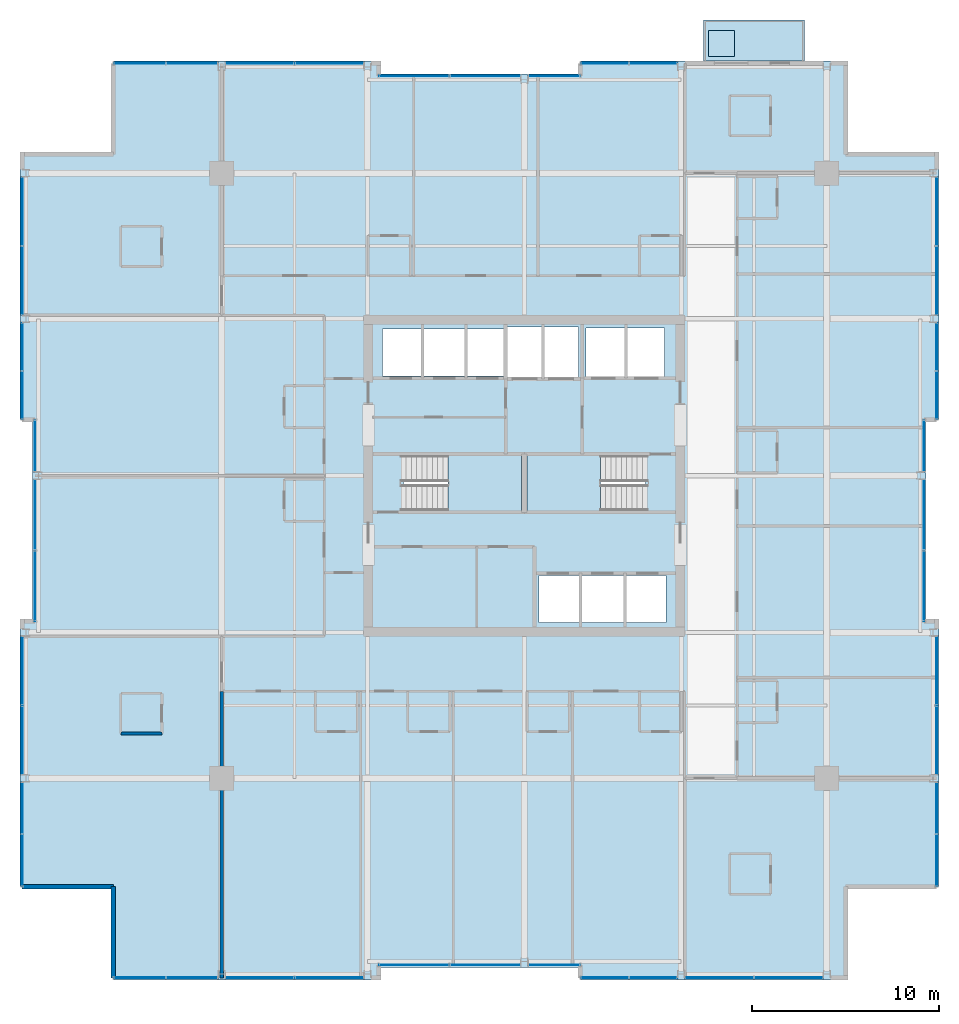
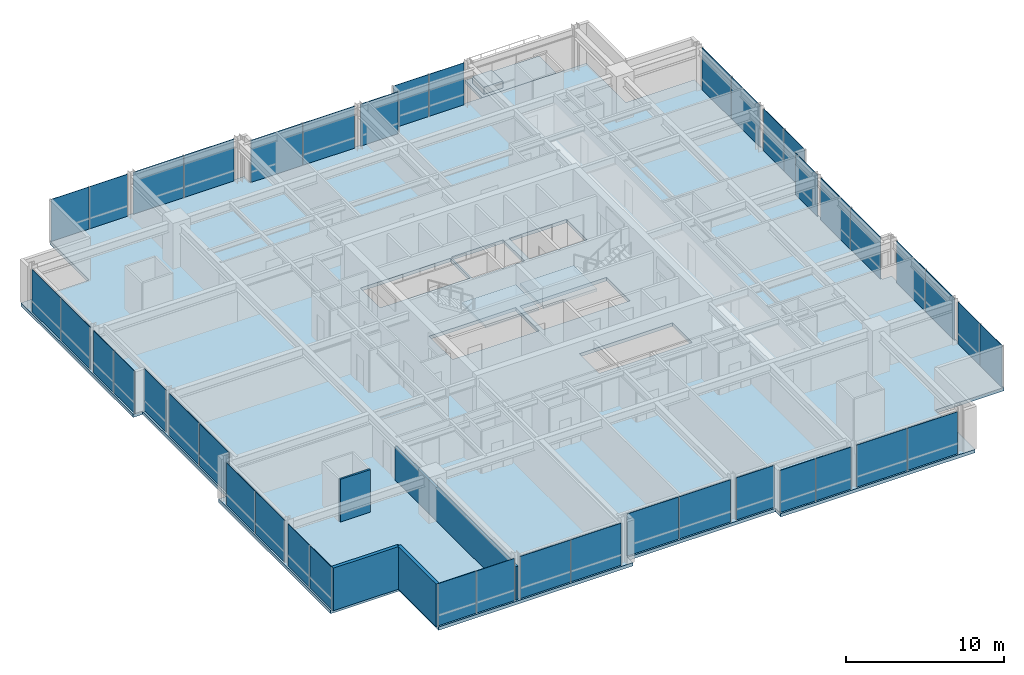
# One storey, part 26 of 33: 42 plates, 5 slabs, 4 walls, 25 elements without a shape of their own.
"""IFC4 building model written with IfcOpenShell, lengths in metres."""

from ifc_helpers import new_model, si_unit, direction, frame, frame_2d, origin, origin_2d, place, context, subcontext, project, spatial, polyline, rectangle, outline, extrude, material, layer, layer_set, type_object, element, aggregate, save


model = new_model("IFC4")

# Units and contexts
model_context = context("Model", 3, precision=1e-05, world=origin(), true_north=direction((0.0, 1.0)))
body_context = subcontext(model_context, "Body", "Model", "MODEL_VIEW")
ifc_project = project(units=[si_unit("LENGTHUNIT", "METRE"), si_unit("AREAUNIT", "SQUARE_METRE"), si_unit("VOLUMEUNIT", "CUBIC_METRE"), si_unit("PLANEANGLEUNIT", "RADIAN"), si_unit("MASSUNIT", "GRAM", prefix="KILO")], contexts=[model_context])

# Site, building, storey
site_placement = place(None, origin())
site = spatial("IfcSite", under=ifc_project, at=site_placement, CompositionType="ELEMENT")
building_placement = place(site_placement, origin())
building = spatial("IfcBuilding", under=site, at=building_placement, Name="Drelvath Grand Hotel", CompositionType="ELEMENT")
storey_placement = place(building_placement, frame((0.0, 0.0, 178.800048828125)))
storey = spatial("IfcBuildingStorey", under=building, at=storey_placement, Name="L46", CompositionType="ELEMENT", Elevation=178.800048828125)

# Slabs
ifc_material_1 = material(Name="Concrete f'c 40 MPa", Category="concrete")
ifc_layer_1 = layer(ifc_material_1, 0.239990234375)
ifc_layer_set_1 = layer_set([ifc_layer_1], Name="Concrete f'c 40 MPa")
slab_type_1 = type_object("IfcSlabType", Name="Cantilevered Tree Balcony Slab 240", PredefinedType="FLOOR", material=ifc_layer_set_1)
slab_1_placement = place(storey_placement, frame((0.0, 0.0, -0.239990234375)))
element("IfcSlab", 1, at=slab_1_placement, inside=storey, type_object=slab_type_1, Name="L46 Cantilevered Tree Balcony Slab 1", PredefinedType="FLOOR", context=body_context, shape_type="SweptSolid", body=[
    extrude(outline(polyline([(9.60009765625, 49.199951171875), (15.0, 49.199951171875), (15.0, 51.39990234375), (9.60009765625, 51.39990234375), (9.60009765625, 49.199951171875)])), origin(), (0.0, 0.0, 1.0), 0.239990234375),
])
ifc_layer_2 = layer(ifc_material_1, 0.260009765625)
ifc_layer_set_2 = layer_set([ifc_layer_2], Name="Concrete f'c 40 MPa")
slab_type_2 = type_object("IfcSlabType", Name="Composite RC Floor Slab 260", PredefinedType="FLOOR", material=ifc_layer_set_2)
slab_2_placement = place(storey_placement, frame((0.0, 0.0, -0.260009765625)))
element("IfcSlab", 2, at=slab_2_placement, inside=storey, type_object=slab_type_2, Name="L46 Structural Floor Slab", PredefinedType="FLOOR", context=body_context, shape_type="SweptSolid", body=[
    extrude(outline(polyline([(-22.0, 0.0), (-7.800048828125, 0.0), (-7.800048828125, 0.679931640625), (3.0, 0.679931640625), (3.0, 0.0), (17.199951171875, 0.0), (17.199951171875, 5.0), (22.199951171875, 5.0), (22.199951171875, 19.199951171875), (21.52001953125, 19.199951171875), (21.52001953125, 30.0), (22.199951171875, 30.0), (22.199951171875, 44.199951171875), (17.199951171875, 44.199951171875), (17.199951171875, 49.199951171875), (3.0, 49.199951171875), (3.0, 48.52001953125), (-7.800048828125, 48.52001953125), (-7.800048828125, 49.199951171875), (-22.0, 49.199951171875), (-22.0, 44.199951171875), (-27.0, 44.199951171875), (-27.0, 30.0), (-26.320068359375, 30.0), (-26.320068359375, 19.199951171875), (-27.0, 19.199951171875), (-27.0, 5.0), (-22.0, 5.0), (-22.0, 0.0)]), holes=[polyline([(-6.47998046875, 25.1201171875), (-6.47998046875, 28.080078125), (-0.14990234375, 28.080078125), (-0.14990234375, 25.1201171875), (-6.47998046875, 25.1201171875)]), polyline([(0.14990234375, 25.1201171875), (0.14990234375, 28.080078125), (6.47998046875, 28.080078125), (6.47998046875, 25.1201171875), (0.14990234375, 25.1201171875)]), polyline([(0.800048828125, 19.14990234375), (0.800048828125, 21.64990234375), (7.60009765625, 21.64990234375), (7.60009765625, 19.14990234375), (0.800048828125, 19.14990234375)]), polyline([(-7.60009765625, 32.35009765625), (-7.60009765625, 34.85009765625), (-1.02001953125, 34.85009765625), (-1.02001953125, 32.35009765625), (-7.60009765625, 32.35009765625)]), polyline([(-0.89990234375, 32.25), (-0.89990234375, 34.949951171875), (2.89990234375, 34.949951171875), (2.89990234375, 32.25), (-0.89990234375, 32.25)]), polyline([(3.300048828125, 32.300048828125), (3.300048828125, 34.89990234375), (7.5, 34.89990234375), (7.5, 32.300048828125), (3.300048828125, 32.300048828125)])]), origin(), (0.0, 0.0, 1.0), 0.260009765625),
])

# Stair, slab
ifc_material_2 = material(Name="Concrete C40/50", Category="concrete")
stair_type = type_object("IfcStairType", Name="Dogleg Exit Stair W1400-R177.5", PredefinedType="HALF_TURN_STAIR", material=ifc_material_2)
stair_1_placement = place(storey_placement, origin())
stair_1 = element("IfcStair", 3, at=stair_1_placement, inside=storey, type_object=stair_type, Name="L46 Core Exit Stair ST-1", PredefinedType="HALF_TURN_STAIR")
ifc_layer_3 = layer(ifc_material_2, 0.199951171875)
ifc_layer_set_3 = layer_set([ifc_layer_3], Name="Concrete C40/50")
slab_type_3 = type_object("IfcSlabType", Name="Concrete Stair Landing Slab 200", PredefinedType="LANDING", material=ifc_layer_set_3)
slab_3_placement = place(storey_placement, frame((0.0, 0.0, 1.574951171875)))
slab_3 = element("IfcSlab", 4, at=slab_3_placement, type_object=slab_type_3, Name="ST-1 landing 1", PredefinedType="LANDING", context=body_context, shape_type="SweptSolid", body=[
    extrude(outline(polyline([(-4.080078125, 25.1201171875), (-0.14990234375, 25.1201171875), (-0.14990234375, 28.080078125), (-4.080078125, 28.080078125), (-4.080078125, 25.1201171875)])), origin(), (0.0, 0.0, 1.0), 0.199951171875),
])
aggregate(stair_1, [slab_3])

stair_2_placement = place(storey_placement, origin())
stair_2 = element("IfcStair", 5, at=stair_2_placement, inside=storey, type_object=stair_type, Name="L46 Core Exit Stair ST-2", PredefinedType="HALF_TURN_STAIR")
slab_4_placement = place(storey_placement, frame((0.0, 0.0, 1.574951171875)))
slab_4 = element("IfcSlab", 6, at=slab_4_placement, type_object=slab_type_3, Name="ST-2 landing 1", PredefinedType="LANDING", context=body_context, shape_type="SweptSolid", body=[
    extrude(outline(polyline([(4.080078125, 28.080078125), (0.14990234375, 28.080078125), (0.14990234375, 25.1201171875), (4.080078125, 25.1201171875), (4.080078125, 28.080078125)])), origin(), (0.0, 0.0, 1.0), 0.199951171875),
])
aggregate(stair_2, [slab_4])

# Curtain wall, plates
ifc_material_3 = material(Name="Brushed Pale-Silver Anodised Aluminium Frame", Category="aluminium")
ifc_layer_4 = layer(ifc_material_3, 0.199951171875)
ifc_layer_set_4 = layer_set([ifc_layer_4], Name="Brushed Pale-Silver Anodised Aluminium Frame")
curtain_wall_type = type_object("IfcCurtainWallType", Name="Stick Curtain Wall CW-04 Brushed Silver Upper-Mid", PredefinedType="NOTDEFINED", material=ifc_layer_set_4)
curtain_wall_1_placement = place(storey_placement, origin())
curtain_wall_1 = element("IfcCurtainWall", 7, at=curtain_wall_1_placement, inside=storey, type_object=curtain_wall_type, Name="L46 CW-04 Curtain Wall CW04-L46-WS1", PredefinedType="NOTDEFINED")
ifc_material_4 = material(Name="Low-E Triple Silver Vision Glass Cool", Category="glass")
ifc_layer_5 = layer(ifc_material_4, 0.035888671875)
ifc_layer_set_5 = layer_set([ifc_layer_5], Name="Low-E Triple Silver Vision Glass Cool")
plate_type = type_object("IfcPlateType", Name="Curtain Wall Vision Panel CW-04 36mm", PredefinedType="CURTAIN_PANEL", material=ifc_layer_set_5)
plate_1_placement = place(storey_placement, frame((-26.8798828125, 6.402099609375, 0.02001953125), z_axis=(0.0, 0.0, 1.0), x_axis=(0.0, 1.0, 0.0)))
plate_1 = element("IfcPlate", 8, at=plate_1_placement, type_object=plate_type, Name="CW04-L46-WS1 Glazed Panel 1", PredefinedType="CURTAIN_PANEL", context=body_context, shape_type="SweptSolid", body=[
    extrude(rectangle(XDim=2.76416015625, YDim=0.035888671875, at=origin_2d()), origin(), (0.0, 0.0, 1.0), 3.25),
])
plate_2_placement = place(storey_placement, frame((-26.8798828125, 9.206298828125, 0.02001953125), z_axis=(0.0, 0.0, 1.0), x_axis=(0.0, 1.0, 0.0)))
plate_2 = element("IfcPlate", 9, at=plate_2_placement, type_object=plate_type, Name="CW04-L46-WS1 Glazed Panel 2", PredefinedType="CURTAIN_PANEL", context=body_context, shape_type="SweptSolid", body=[
    extrude(rectangle(XDim=2.76416015625, YDim=0.035888671875, at=origin_2d()), origin(), (0.0, 0.0, 1.0), 3.25),
])
aggregate(curtain_wall_1, [plate_1, plate_2])

curtain_wall_2_placement = place(storey_placement, origin())
curtain_wall_2 = element("IfcCurtainWall", 10, at=curtain_wall_2_placement, inside=storey, type_object=curtain_wall_type, Name="L46 CW-04 Curtain Wall CW04-L46-WS2", PredefinedType="NOTDEFINED")
plate_3_placement = place(storey_placement, frame((-26.8798828125, 12.845947265625, 0.02001953125), z_axis=(0.0, 0.0, 1.0), x_axis=(0.0, 1.0, 0.0)))
plate_3 = element("IfcPlate", 11, at=plate_3_placement, type_object=plate_type, Name="CW04-L46-WS2 Glazed Panel 1", PredefinedType="CURTAIN_PANEL", context=body_context, shape_type="SweptSolid", body=[
    extrude(rectangle(XDim=3.66845703125, YDim=0.035888671875, at=origin_2d()), origin(), (0.0, 0.0, 1.0), 3.25),
])
plate_4_placement = place(storey_placement, frame((-26.8798828125, 16.55419921875, 0.02001953125), z_axis=(0.0, 0.0, 1.0), x_axis=(0.0, 1.0, 0.0)))
plate_4 = element("IfcPlate", 12, at=plate_4_placement, type_object=plate_type, Name="CW04-L46-WS2 Glazed Panel 2", PredefinedType="CURTAIN_PANEL", context=body_context, shape_type="SweptSolid", body=[
    extrude(rectangle(XDim=3.66845703125, YDim=0.035888671875, at=origin_2d()), origin(), (0.0, 0.0, 1.0), 3.25),
])
aggregate(curtain_wall_2, [plate_3, plate_4])

curtain_wall_3_placement = place(storey_placement, origin())
curtain_wall_3 = element("IfcCurtainWall", 13, at=curtain_wall_3_placement, inside=storey, type_object=curtain_wall_type, Name="L46 CW-04 Curtain Wall CW04-L46-WM1", PredefinedType="NOTDEFINED")
plate_5_placement = place(storey_placement, frame((-26.199951171875, 21.10205078125, 0.02001953125), z_axis=(0.0, 0.0, 1.0), x_axis=(0.0, 1.0, 0.0)))
plate_5 = element("IfcPlate", 14, at=plate_5_placement, type_object=plate_type, Name="CW04-L46-WM1 Glazed Panel 1", PredefinedType="CURTAIN_PANEL", context=body_context, shape_type="SweptSolid", body=[
    extrude(rectangle(XDim=3.76416015625, YDim=0.035888671875, at=origin_2d()), origin(), (0.0, 0.0, 1.0), 3.25),
])
plate_6_placement = place(storey_placement, frame((-26.199951171875, 24.90625, 0.02001953125), z_axis=(0.0, 0.0, 1.0), x_axis=(0.0, 1.0, 0.0)))
plate_6 = element("IfcPlate", 15, at=plate_6_placement, type_object=plate_type, Name="CW04-L46-WM1 Glazed Panel 2", PredefinedType="CURTAIN_PANEL", context=body_context, shape_type="SweptSolid", body=[
    extrude(rectangle(XDim=3.76416015625, YDim=0.035888671875, at=origin_2d()), origin(), (0.0, 0.0, 1.0), 3.25),
])
aggregate(curtain_wall_3, [plate_5, plate_6])

# Curtain wall, plate
curtain_wall_4_placement = place(storey_placement, origin())
curtain_wall_4 = element("IfcCurtainWall", 16, at=curtain_wall_4_placement, inside=storey, type_object=curtain_wall_type, Name="L46 CW-04 Curtain Wall CW04-L46-WM2", PredefinedType="NOTDEFINED")
plate_7_placement = place(storey_placement, frame((-26.199951171875, 28.595703125, 0.02001953125), z_axis=(0.0, 0.0, 1.0), x_axis=(0.0, 1.0, 0.0)))
plate_7 = element("IfcPlate", 17, at=plate_7_placement, type_object=plate_type, Name="CW04-L46-WM2 Glazed Panel 1", PredefinedType="CURTAIN_PANEL", context=body_context, shape_type="SweptSolid", body=[
    extrude(rectangle(XDim=2.768310546875, YDim=0.035888671875, at=origin_2d()), origin(), (0.0, 0.0, 1.0), 3.25),
])
aggregate(curtain_wall_4, [plate_7])

# Curtain wall, plates
curtain_wall_5_placement = place(storey_placement, origin())
curtain_wall_5 = element("IfcCurtainWall", 18, at=curtain_wall_5_placement, inside=storey, type_object=curtain_wall_type, Name="L46 CW-04 Curtain Wall CW04-L46-WN1", PredefinedType="NOTDEFINED")
plate_8_placement = place(storey_placement, frame((-26.8798828125, 31.302001953125, 0.02001953125), z_axis=(0.0, 0.0, 1.0), x_axis=(0.0, 1.0, 0.0)))
plate_8 = element("IfcPlate", 19, at=plate_8_placement, type_object=plate_type, Name="CW04-L46-WN1 Glazed Panel 1", PredefinedType="CURTAIN_PANEL", context=body_context, shape_type="SweptSolid", body=[
    extrude(rectangle(XDim=2.564208984375, YDim=0.035888671875, at=origin_2d()), origin(), (0.0, 0.0, 1.0), 3.25),
])
plate_9_placement = place(storey_placement, frame((-26.8798828125, 33.90625, 0.02001953125), z_axis=(0.0, 0.0, 1.0), x_axis=(0.0, 1.0, 0.0)))
plate_9 = element("IfcPlate", 20, at=plate_9_placement, type_object=plate_type, Name="CW04-L46-WN1 Glazed Panel 2", PredefinedType="CURTAIN_PANEL", context=body_context, shape_type="SweptSolid", body=[
    extrude(rectangle(XDim=2.564208984375, YDim=0.035888671875, at=origin_2d()), origin(), (0.0, 0.0, 1.0), 3.25),
])
aggregate(curtain_wall_5, [plate_8, plate_9])

curtain_wall_6_placement = place(storey_placement, origin())
curtain_wall_6 = element("IfcCurtainWall", 21, at=curtain_wall_6_placement, inside=storey, type_object=curtain_wall_type, Name="L46 CW-04 Curtain Wall CW04-L46-WN2", PredefinedType="NOTDEFINED")
plate_10_placement = place(storey_placement, frame((-26.8798828125, 37.44580078125, 0.02001953125), z_axis=(0.0, 0.0, 1.0), x_axis=(0.0, 1.0, 0.0)))
plate_10 = element("IfcPlate", 22, at=plate_10_placement, type_object=plate_type, Name="CW04-L46-WN2 Glazed Panel 1", PredefinedType="CURTAIN_PANEL", context=body_context, shape_type="SweptSolid", body=[
    extrude(rectangle(XDim=3.66845703125, YDim=0.035888671875, at=origin_2d()), origin(), (0.0, 0.0, 1.0), 3.25),
])
plate_11_placement = place(storey_placement, frame((-26.8798828125, 41.154296875, 0.02001953125), z_axis=(0.0, 0.0, 1.0), x_axis=(0.0, 1.0, 0.0)))
plate_11 = element("IfcPlate", 23, at=plate_11_placement, type_object=plate_type, Name="CW04-L46-WN2 Glazed Panel 2", PredefinedType="CURTAIN_PANEL", context=body_context, shape_type="SweptSolid", body=[
    extrude(rectangle(XDim=3.66845703125, YDim=0.035888671875, at=origin_2d()), origin(), (0.0, 0.0, 1.0), 3.25),
])
aggregate(curtain_wall_6, [plate_10, plate_11])

curtain_wall_7_placement = place(storey_placement, origin())
curtain_wall_7 = element("IfcCurtainWall", 24, at=curtain_wall_7_placement, inside=storey, type_object=curtain_wall_type, Name="L46 CW-04 Curtain Wall CW04-L46-EN1", PredefinedType="NOTDEFINED")
plate_12_placement = place(storey_placement, frame((22.080078125, 33.90625, 0.02001953125), z_axis=(0.0, 0.0, 1.0), x_axis=(0.0, -1.0, 0.0)))
plate_12 = element("IfcPlate", 25, at=plate_12_placement, type_object=plate_type, Name="CW04-L46-EN1 Glazed Panel 1", PredefinedType="CURTAIN_PANEL", context=body_context, shape_type="SweptSolid", body=[
    extrude(rectangle(XDim=2.564208984375, YDim=0.035888671875, at=origin_2d()), origin(), (0.0, 0.0, 1.0), 3.25),
])
plate_13_placement = place(storey_placement, frame((22.080078125, 31.302001953125, 0.02001953125), z_axis=(0.0, 0.0, 1.0), x_axis=(0.0, -1.0, 0.0)))
plate_13 = element("IfcPlate", 26, at=plate_13_placement, type_object=plate_type, Name="CW04-L46-EN1 Glazed Panel 2", PredefinedType="CURTAIN_PANEL", context=body_context, shape_type="SweptSolid", body=[
    extrude(rectangle(XDim=2.564208984375, YDim=0.035888671875, at=origin_2d()), origin(), (0.0, 0.0, 1.0), 3.25),
])
aggregate(curtain_wall_7, [plate_12, plate_13])

curtain_wall_8_placement = place(storey_placement, origin())
curtain_wall_8 = element("IfcCurtainWall", 27, at=curtain_wall_8_placement, inside=storey, type_object=curtain_wall_type, Name="L46 CW-04 Curtain Wall CW04-L46-EN2", PredefinedType="NOTDEFINED")
plate_14_placement = place(storey_placement, frame((22.080078125, 41.154296875, 0.02001953125), z_axis=(0.0, 0.0, 1.0), x_axis=(0.0, -1.0, 0.0)))
plate_14 = element("IfcPlate", 28, at=plate_14_placement, type_object=plate_type, Name="CW04-L46-EN2 Glazed Panel 1", PredefinedType="CURTAIN_PANEL", context=body_context, shape_type="SweptSolid", body=[
    extrude(rectangle(XDim=3.66845703125, YDim=0.035888671875, at=origin_2d()), origin(), (0.0, 0.0, 1.0), 3.25),
])
plate_15_placement = place(storey_placement, frame((22.080078125, 37.44580078125, 0.02001953125), z_axis=(0.0, 0.0, 1.0), x_axis=(0.0, -1.0, 0.0)))
plate_15 = element("IfcPlate", 29, at=plate_15_placement, type_object=plate_type, Name="CW04-L46-EN2 Glazed Panel 2", PredefinedType="CURTAIN_PANEL", context=body_context, shape_type="SweptSolid", body=[
    extrude(rectangle(XDim=3.66845703125, YDim=0.035888671875, at=origin_2d()), origin(), (0.0, 0.0, 1.0), 3.25),
])
aggregate(curtain_wall_8, [plate_14, plate_15])

curtain_wall_9_placement = place(storey_placement, origin())
curtain_wall_9 = element("IfcCurtainWall", 30, at=curtain_wall_9_placement, inside=storey, type_object=curtain_wall_type, Name="L46 CW-04 Curtain Wall CW04-L46-EM1", PredefinedType="NOTDEFINED")
plate_16_placement = place(storey_placement, frame((21.39990234375, 24.90625, 0.02001953125), z_axis=(0.0, 0.0, 1.0), x_axis=(0.0, -1.0, 0.0)))
plate_16 = element("IfcPlate", 31, at=plate_16_placement, type_object=plate_type, Name="CW04-L46-EM1 Glazed Panel 1", PredefinedType="CURTAIN_PANEL", context=body_context, shape_type="SweptSolid", body=[
    extrude(rectangle(XDim=3.76416015625, YDim=0.035888671875, at=origin_2d()), origin(), (0.0, 0.0, 1.0), 3.25),
])
plate_17_placement = place(storey_placement, frame((21.39990234375, 21.10205078125, 0.02001953125), z_axis=(0.0, 0.0, 1.0), x_axis=(0.0, -1.0, 0.0)))
plate_17 = element("IfcPlate", 32, at=plate_17_placement, type_object=plate_type, Name="CW04-L46-EM1 Glazed Panel 2", PredefinedType="CURTAIN_PANEL", context=body_context, shape_type="SweptSolid", body=[
    extrude(rectangle(XDim=3.76416015625, YDim=0.035888671875, at=origin_2d()), origin(), (0.0, 0.0, 1.0), 3.25),
])
aggregate(curtain_wall_9, [plate_16, plate_17])

# Curtain wall, plate
curtain_wall_10_placement = place(storey_placement, origin())
curtain_wall_10 = element("IfcCurtainWall", 33, at=curtain_wall_10_placement, inside=storey, type_object=curtain_wall_type, Name="L46 CW-04 Curtain Wall CW04-L46-EM2", PredefinedType="NOTDEFINED")
plate_18_placement = place(storey_placement, frame((21.39990234375, 28.595703125, 0.02001953125), z_axis=(0.0, 0.0, 1.0), x_axis=(0.0, -1.0, 0.0)))
plate_18 = element("IfcPlate", 34, at=plate_18_placement, type_object=plate_type, Name="CW04-L46-EM2 Glazed Panel 1", PredefinedType="CURTAIN_PANEL", context=body_context, shape_type="SweptSolid", body=[
    extrude(rectangle(XDim=2.768310546875, YDim=0.035888671875, at=origin_2d()), origin(), (0.0, 0.0, 1.0), 3.25),
])
aggregate(curtain_wall_10, [plate_18])

# Curtain wall, plates
curtain_wall_11_placement = place(storey_placement, origin())
curtain_wall_11 = element("IfcCurtainWall", 35, at=curtain_wall_11_placement, inside=storey, type_object=curtain_wall_type, Name="L46 CW-04 Curtain Wall CW04-L46-ES1", PredefinedType="NOTDEFINED")
plate_19_placement = place(storey_placement, frame((22.080078125, 9.206298828125, 0.02001953125), z_axis=(0.0, 0.0, 1.0), x_axis=(0.0, -1.0, 0.0)))
plate_19 = element("IfcPlate", 36, at=plate_19_placement, type_object=plate_type, Name="CW04-L46-ES1 Glazed Panel 1", PredefinedType="CURTAIN_PANEL", context=body_context, shape_type="SweptSolid", body=[
    extrude(rectangle(XDim=2.76416015625, YDim=0.035888671875, at=origin_2d()), origin(), (0.0, 0.0, 1.0), 3.25),
])
plate_20_placement = place(storey_placement, frame((22.080078125, 6.402099609375, 0.02001953125), z_axis=(0.0, 0.0, 1.0), x_axis=(0.0, -1.0, 0.0)))
plate_20 = element("IfcPlate", 37, at=plate_20_placement, type_object=plate_type, Name="CW04-L46-ES1 Glazed Panel 2", PredefinedType="CURTAIN_PANEL", context=body_context, shape_type="SweptSolid", body=[
    extrude(rectangle(XDim=2.76416015625, YDim=0.035888671875, at=origin_2d()), origin(), (0.0, 0.0, 1.0), 3.25),
])
aggregate(curtain_wall_11, [plate_19, plate_20])

curtain_wall_12_placement = place(storey_placement, origin())
curtain_wall_12 = element("IfcCurtainWall", 38, at=curtain_wall_12_placement, inside=storey, type_object=curtain_wall_type, Name="L46 CW-04 Curtain Wall CW04-L46-ES2", PredefinedType="NOTDEFINED")
plate_21_placement = place(storey_placement, frame((22.080078125, 16.55419921875, 0.02001953125), z_axis=(0.0, 0.0, 1.0), x_axis=(0.0, -1.0, 0.0)))
plate_21 = element("IfcPlate", 39, at=plate_21_placement, type_object=plate_type, Name="CW04-L46-ES2 Glazed Panel 1", PredefinedType="CURTAIN_PANEL", context=body_context, shape_type="SweptSolid", body=[
    extrude(rectangle(XDim=3.66845703125, YDim=0.035888671875, at=origin_2d()), origin(), (0.0, 0.0, 1.0), 3.25),
])
plate_22_placement = place(storey_placement, frame((22.080078125, 12.845947265625, 0.02001953125), z_axis=(0.0, 0.0, 1.0), x_axis=(0.0, -1.0, 0.0)))
plate_22 = element("IfcPlate", 40, at=plate_22_placement, type_object=plate_type, Name="CW04-L46-ES2 Glazed Panel 2", PredefinedType="CURTAIN_PANEL", context=body_context, shape_type="SweptSolid", body=[
    extrude(rectangle(XDim=3.66845703125, YDim=0.035888671875, at=origin_2d()), origin(), (0.0, 0.0, 1.0), 3.25),
])
aggregate(curtain_wall_12, [plate_21, plate_22])

curtain_wall_13_placement = place(storey_placement, origin())
curtain_wall_13 = element("IfcCurtainWall", 41, at=curtain_wall_13_placement, inside=storey, type_object=curtain_wall_type, Name="L46 CW-04 Curtain Wall CW04-L46-NW1", PredefinedType="NOTDEFINED")
plate_23_placement = place(storey_placement, frame((-20.597900390625, 49.080078125, 0.02001953125), z_axis=(0.0, 0.0, 1.0), x_axis=(1.0, 0.0, 0.0)))
plate_23 = element("IfcPlate", 42, at=plate_23_placement, type_object=plate_type, Name="CW04-L46-NW1 Glazed Panel 1", PredefinedType="CURTAIN_PANEL", context=body_context, shape_type="SweptSolid", body=[
    extrude(rectangle(XDim=2.76416015625, YDim=0.035888671875, at=origin_2d()), origin(), (0.0, 0.0, 1.0), 3.25),
])
plate_24_placement = place(storey_placement, frame((-17.793701171875, 49.080078125, 0.02001953125), z_axis=(0.0, 0.0, 1.0), x_axis=(1.0, 0.0, 0.0)))
plate_24 = element("IfcPlate", 43, at=plate_24_placement, type_object=plate_type, Name="CW04-L46-NW1 Glazed Panel 2", PredefinedType="CURTAIN_PANEL", context=body_context, shape_type="SweptSolid", body=[
    extrude(rectangle(XDim=2.76416015625, YDim=0.035888671875, at=origin_2d()), origin(), (0.0, 0.0, 1.0), 3.25),
])
aggregate(curtain_wall_13, [plate_23, plate_24])

curtain_wall_14_placement = place(storey_placement, origin())
curtain_wall_14 = element("IfcCurtainWall", 44, at=curtain_wall_14_placement, inside=storey, type_object=curtain_wall_type, Name="L46 CW-04 Curtain Wall CW04-L46-NW2", PredefinedType="NOTDEFINED")
plate_25_placement = place(storey_placement, frame((-14.154296875, 49.080078125, 0.02001953125), z_axis=(0.0, 0.0, 1.0), x_axis=(1.0, 0.0, 0.0)))
plate_25 = element("IfcPlate", 45, at=plate_25_placement, type_object=plate_type, Name="CW04-L46-NW2 Glazed Panel 1", PredefinedType="CURTAIN_PANEL", context=body_context, shape_type="SweptSolid", body=[
    extrude(rectangle(XDim=3.66845703125, YDim=0.035888671875, at=origin_2d()), origin(), (0.0, 0.0, 1.0), 3.25),
])
plate_26_placement = place(storey_placement, frame((-10.44580078125, 49.080078125, 0.02001953125), z_axis=(0.0, 0.0, 1.0), x_axis=(1.0, 0.0, 0.0)))
plate_26 = element("IfcPlate", 46, at=plate_26_placement, type_object=plate_type, Name="CW04-L46-NW2 Glazed Panel 2", PredefinedType="CURTAIN_PANEL", context=body_context, shape_type="SweptSolid", body=[
    extrude(rectangle(XDim=3.66845703125, YDim=0.035888671875, at=origin_2d()), origin(), (0.0, 0.0, 1.0), 3.25),
])
aggregate(curtain_wall_14, [plate_25, plate_26])

curtain_wall_15_placement = place(storey_placement, origin())
curtain_wall_15 = element("IfcCurtainWall", 47, at=curtain_wall_15_placement, inside=storey, type_object=curtain_wall_type, Name="L46 CW-04 Curtain Wall CW04-L46-NM1", PredefinedType="NOTDEFINED")
plate_27_placement = place(storey_placement, frame((-5.89794921875, 48.39990234375, 0.02001953125), z_axis=(0.0, 0.0, 1.0), x_axis=(1.0, 0.0, 0.0)))
plate_27 = element("IfcPlate", 48, at=plate_27_placement, type_object=plate_type, Name="CW04-L46-NM1 Glazed Panel 1", PredefinedType="CURTAIN_PANEL", context=body_context, shape_type="SweptSolid", body=[
    extrude(rectangle(XDim=3.76416015625, YDim=0.035888671875, at=origin_2d()), origin(), (0.0, 0.0, 1.0), 3.25),
])
plate_28_placement = place(storey_placement, frame((-2.09375, 48.39990234375, 0.02001953125), z_axis=(0.0, 0.0, 1.0), x_axis=(1.0, 0.0, 0.0)))
plate_28 = element("IfcPlate", 49, at=plate_28_placement, type_object=plate_type, Name="CW04-L46-NM1 Glazed Panel 2", PredefinedType="CURTAIN_PANEL", context=body_context, shape_type="SweptSolid", body=[
    extrude(rectangle(XDim=3.76416015625, YDim=0.035888671875, at=origin_2d()), origin(), (0.0, 0.0, 1.0), 3.25),
])
aggregate(curtain_wall_15, [plate_27, plate_28])

# Curtain wall, plate
curtain_wall_16_placement = place(storey_placement, origin())
curtain_wall_16 = element("IfcCurtainWall", 50, at=curtain_wall_16_placement, inside=storey, type_object=curtain_wall_type, Name="L46 CW-04 Curtain Wall CW04-L46-NM2", PredefinedType="NOTDEFINED")
plate_29_placement = place(storey_placement, frame((1.595703125, 48.39990234375, 0.02001953125), z_axis=(0.0, 0.0, 1.0), x_axis=(1.0, 0.0, 0.0)))
plate_29 = element("IfcPlate", 51, at=plate_29_placement, type_object=plate_type, Name="CW04-L46-NM2 Glazed Panel 1", PredefinedType="CURTAIN_PANEL", context=body_context, shape_type="SweptSolid", body=[
    extrude(rectangle(XDim=2.768310546875, YDim=0.035888671875, at=origin_2d()), origin(), (0.0, 0.0, 1.0), 3.25),
])
aggregate(curtain_wall_16, [plate_29])

# Curtain wall, plates
curtain_wall_17_placement = place(storey_placement, origin())
curtain_wall_17 = element("IfcCurtainWall", 52, at=curtain_wall_17_placement, inside=storey, type_object=curtain_wall_type, Name="L46 CW-04 Curtain Wall CW04-L46-NE1", PredefinedType="NOTDEFINED")
plate_30_placement = place(storey_placement, frame((4.302001953125, 49.080078125, 0.02001953125), z_axis=(0.0, 0.0, 1.0), x_axis=(1.0, 0.0, 0.0)))
plate_30 = element("IfcPlate", 53, at=plate_30_placement, type_object=plate_type, Name="CW04-L46-NE1 Glazed Panel 1", PredefinedType="CURTAIN_PANEL", context=body_context, shape_type="SweptSolid", body=[
    extrude(rectangle(XDim=2.564208984375, YDim=0.035888671875, at=origin_2d()), origin(), (0.0, 0.0, 1.0), 3.25),
])
plate_31_placement = place(storey_placement, frame((6.90625, 49.080078125, 0.02001953125), z_axis=(0.0, 0.0, 1.0), x_axis=(1.0, 0.0, 0.0)))
plate_31 = element("IfcPlate", 54, at=plate_31_placement, type_object=plate_type, Name="CW04-L46-NE1 Glazed Panel 2", PredefinedType="CURTAIN_PANEL", context=body_context, shape_type="SweptSolid", body=[
    extrude(rectangle(XDim=2.564208984375, YDim=0.035888671875, at=origin_2d()), origin(), (0.0, 0.0, 1.0), 3.25),
])
aggregate(curtain_wall_17, [plate_30, plate_31])

curtain_wall_18_placement = place(storey_placement, origin())
curtain_wall_18 = element("IfcCurtainWall", 55, at=curtain_wall_18_placement, inside=storey, type_object=curtain_wall_type, Name="L46 CW-04 Curtain Wall CW04-L46-SE1", PredefinedType="NOTDEFINED")
plate_32_placement = place(storey_placement, frame((6.90625, 0.1201171875, 0.02001953125), z_axis=(0.0, 0.0, 1.0), x_axis=(-1.0, 0.0, 0.0)))
plate_32 = element("IfcPlate", 56, at=plate_32_placement, type_object=plate_type, Name="CW04-L46-SE1 Glazed Panel 1", PredefinedType="CURTAIN_PANEL", context=body_context, shape_type="SweptSolid", body=[
    extrude(rectangle(XDim=2.564208984375, YDim=0.035888671875, at=origin_2d()), origin(), (0.0, 0.0, 1.0), 3.25),
])
plate_33_placement = place(storey_placement, frame((4.302001953125, 0.1201171875, 0.02001953125), z_axis=(0.0, 0.0, 1.0), x_axis=(-1.0, 0.0, 0.0)))
plate_33 = element("IfcPlate", 57, at=plate_33_placement, type_object=plate_type, Name="CW04-L46-SE1 Glazed Panel 2", PredefinedType="CURTAIN_PANEL", context=body_context, shape_type="SweptSolid", body=[
    extrude(rectangle(XDim=2.564208984375, YDim=0.035888671875, at=origin_2d()), origin(), (0.0, 0.0, 1.0), 3.25),
])
aggregate(curtain_wall_18, [plate_32, plate_33])

curtain_wall_19_placement = place(storey_placement, origin())
curtain_wall_19 = element("IfcCurtainWall", 58, at=curtain_wall_19_placement, inside=storey, type_object=curtain_wall_type, Name="L46 CW-04 Curtain Wall CW04-L46-SE2", PredefinedType="NOTDEFINED")
plate_34_placement = place(storey_placement, frame((14.154296875, 0.1201171875, 0.02001953125), z_axis=(0.0, 0.0, 1.0), x_axis=(-1.0, 0.0, 0.0)))
plate_34 = element("IfcPlate", 59, at=plate_34_placement, type_object=plate_type, Name="CW04-L46-SE2 Glazed Panel 1", PredefinedType="CURTAIN_PANEL", context=body_context, shape_type="SweptSolid", body=[
    extrude(rectangle(XDim=3.66845703125, YDim=0.035888671875, at=origin_2d()), origin(), (0.0, 0.0, 1.0), 3.25),
])
plate_35_placement = place(storey_placement, frame((10.44580078125, 0.1201171875, 0.02001953125), z_axis=(0.0, 0.0, 1.0), x_axis=(-1.0, 0.0, 0.0)))
plate_35 = element("IfcPlate", 60, at=plate_35_placement, type_object=plate_type, Name="CW04-L46-SE2 Glazed Panel 2", PredefinedType="CURTAIN_PANEL", context=body_context, shape_type="SweptSolid", body=[
    extrude(rectangle(XDim=3.66845703125, YDim=0.035888671875, at=origin_2d()), origin(), (0.0, 0.0, 1.0), 3.25),
])
aggregate(curtain_wall_19, [plate_34, plate_35])

curtain_wall_20_placement = place(storey_placement, origin())
curtain_wall_20 = element("IfcCurtainWall", 61, at=curtain_wall_20_placement, inside=storey, type_object=curtain_wall_type, Name="L46 CW-04 Curtain Wall CW04-L46-SM1", PredefinedType="NOTDEFINED")
plate_36_placement = place(storey_placement, frame((-2.09375, 0.800048828125, 0.02001953125), z_axis=(0.0, 0.0, 1.0), x_axis=(-1.0, 0.0, 0.0)))
plate_36 = element("IfcPlate", 62, at=plate_36_placement, type_object=plate_type, Name="CW04-L46-SM1 Glazed Panel 1", PredefinedType="CURTAIN_PANEL", context=body_context, shape_type="SweptSolid", body=[
    extrude(rectangle(XDim=3.76416015625, YDim=0.035888671875, at=origin_2d()), origin(), (0.0, 0.0, 1.0), 3.25),
])
plate_37_placement = place(storey_placement, frame((-5.89794921875, 0.800048828125, 0.02001953125), z_axis=(0.0, 0.0, 1.0), x_axis=(-1.0, 0.0, 0.0)))
plate_37 = element("IfcPlate", 63, at=plate_37_placement, type_object=plate_type, Name="CW04-L46-SM1 Glazed Panel 2", PredefinedType="CURTAIN_PANEL", context=body_context, shape_type="SweptSolid", body=[
    extrude(rectangle(XDim=3.76416015625, YDim=0.035888671875, at=origin_2d()), origin(), (0.0, 0.0, 1.0), 3.25),
])
aggregate(curtain_wall_20, [plate_36, plate_37])

# Curtain wall, plate
curtain_wall_21_placement = place(storey_placement, origin())
curtain_wall_21 = element("IfcCurtainWall", 64, at=curtain_wall_21_placement, inside=storey, type_object=curtain_wall_type, Name="L46 CW-04 Curtain Wall CW04-L46-SM2", PredefinedType="NOTDEFINED")
plate_38_placement = place(storey_placement, frame((1.595703125, 0.800048828125, 0.02001953125), z_axis=(0.0, 0.0, 1.0), x_axis=(-1.0, 0.0, 0.0)))
plate_38 = element("IfcPlate", 65, at=plate_38_placement, type_object=plate_type, Name="CW04-L46-SM2 Glazed Panel 1", PredefinedType="CURTAIN_PANEL", context=body_context, shape_type="SweptSolid", body=[
    extrude(rectangle(XDim=2.768310546875, YDim=0.035888671875, at=origin_2d()), origin(), (0.0, 0.0, 1.0), 3.25),
])
aggregate(curtain_wall_21, [plate_38])

# Curtain wall, plates
curtain_wall_22_placement = place(storey_placement, origin())
curtain_wall_22 = element("IfcCurtainWall", 66, at=curtain_wall_22_placement, inside=storey, type_object=curtain_wall_type, Name="L46 CW-04 Curtain Wall CW04-L46-SW1", PredefinedType="NOTDEFINED")
plate_39_placement = place(storey_placement, frame((-17.793701171875, 0.1201171875, 0.02001953125), z_axis=(0.0, 0.0, 1.0), x_axis=(-1.0, 0.0, 0.0)))
plate_39 = element("IfcPlate", 67, at=plate_39_placement, type_object=plate_type, Name="CW04-L46-SW1 Glazed Panel 1", PredefinedType="CURTAIN_PANEL", context=body_context, shape_type="SweptSolid", body=[
    extrude(rectangle(XDim=2.76416015625, YDim=0.035888671875, at=origin_2d()), origin(), (0.0, 0.0, 1.0), 3.25),
])
plate_40_placement = place(storey_placement, frame((-20.597900390625, 0.1201171875, 0.02001953125), z_axis=(0.0, 0.0, 1.0), x_axis=(-1.0, 0.0, 0.0)))
plate_40 = element("IfcPlate", 68, at=plate_40_placement, type_object=plate_type, Name="CW04-L46-SW1 Glazed Panel 2", PredefinedType="CURTAIN_PANEL", context=body_context, shape_type="SweptSolid", body=[
    extrude(rectangle(XDim=2.76416015625, YDim=0.035888671875, at=origin_2d()), origin(), (0.0, 0.0, 1.0), 3.25),
])
aggregate(curtain_wall_22, [plate_39, plate_40])

curtain_wall_23_placement = place(storey_placement, origin())
curtain_wall_23 = element("IfcCurtainWall", 69, at=curtain_wall_23_placement, inside=storey, type_object=curtain_wall_type, Name="L46 CW-04 Curtain Wall CW04-L46-SW2", PredefinedType="NOTDEFINED")
plate_41_placement = place(storey_placement, frame((-10.44580078125, 0.1201171875, 0.02001953125), z_axis=(0.0, 0.0, 1.0), x_axis=(-1.0, 0.0, 0.0)))
plate_41 = element("IfcPlate", 70, at=plate_41_placement, type_object=plate_type, Name="CW04-L46-SW2 Glazed Panel 1", PredefinedType="CURTAIN_PANEL", context=body_context, shape_type="SweptSolid", body=[
    extrude(rectangle(XDim=3.66845703125, YDim=0.035888671875, at=origin_2d()), origin(), (0.0, 0.0, 1.0), 3.25),
])
plate_42_placement = place(storey_placement, frame((-14.154296875, 0.1201171875, 0.02001953125), z_axis=(0.0, 0.0, 1.0), x_axis=(-1.0, 0.0, 0.0)))
plate_42 = element("IfcPlate", 71, at=plate_42_placement, type_object=plate_type, Name="CW04-L46-SW2 Glazed Panel 2", PredefinedType="CURTAIN_PANEL", context=body_context, shape_type="SweptSolid", body=[
    extrude(rectangle(XDim=3.66845703125, YDim=0.035888671875, at=origin_2d()), origin(), (0.0, 0.0, 1.0), 3.25),
])
aggregate(curtain_wall_23, [plate_41, plate_42])

# Slab
ifc_layer_6 = layer(ifc_material_1, 0.550048828125)
ifc_layer_set_6 = layer_set([ifc_layer_6], Name="Concrete f'c 40 MPa")
slab_type_4 = type_object("IfcSlabType", Name="Structural Tree Planter Box 550", PredefinedType="USERDEFINED", material=ifc_layer_set_6)
slab_5_placement = place(storey_placement, origin())
element("IfcSlab", 72, at=slab_5_placement, inside=storey, type_object=slab_type_4, Name="L46 Tree Balcony Structural Planter 1", ObjectType="PLANTER", PredefinedType="USERDEFINED", context=body_context, shape_type="SweptSolid", body=[
    extrude(outline(polyline([(9.85009765625, 49.449951171875), (11.25, 49.449951171875), (11.25, 50.85009765625), (9.85009765625, 50.85009765625), (9.85009765625, 49.449951171875)])), origin(), (0.0, 0.0, 1.0), 0.550048828125),
])

# Walls
ifc_material_5 = material(Name="Moisture-Resistant Gypsum Board")
ifc_layer_7 = layer(ifc_material_5, 0.139892578125)
ifc_layer_set_7 = layer_set([ifc_layer_7], Name="Moisture-Resistant Gypsum Board")
wall_type_1 = type_object("IfcWallType", Name="En-Suite Plumbing Wall 140", PredefinedType="PLUMBINGWALL", material=ifc_layer_set_7)
wall_1_placement = place(storey_placement, frame((-21.60009765625, 13.199951171875, 0.0), z_axis=(0.0, 0.0, 1.0), x_axis=(1.0, 0.0, 0.0)))
element("IfcWall", 73, at=wall_1_placement, inside=storey, type_object=wall_type_1, Name="L46 Corner En-Suite South", PredefinedType="PLUMBINGWALL", context=body_context, shape_type="SweptSolid", body=[
    extrude(rectangle(XDim=2.2001953125, YDim=0.139892578125, at=frame_2d((1.10009765625, 0.0))), origin(), (0.0, 0.0, 1.0), 3.2900390625),
])
ifc_material_6 = material(Name="Gypsum Acoustic Partition")
ifc_layer_8 = layer(ifc_material_6, 0.1650390625)
ifc_layer_set_8 = layer_set([ifc_layer_8], Name="Gypsum Acoustic Partition")
wall_type_2 = type_object("IfcWallType", Name="Suite Demising Wall 165", PredefinedType="PARTITIONING", material=ifc_layer_set_8)
wall_2_placement = place(storey_placement, frame((-16.199951171875, 0.1201171875, 0.0), z_axis=(0.0, 0.0, 1.0), x_axis=(0.0, 1.0, 0.0)))
element("IfcWall", 74, at=wall_2_placement, inside=storey, type_object=wall_type_2, Name="L46 SW Suite East Wall", PredefinedType="PARTITIONING", context=body_context, shape_type="SweptSolid", body=[
    extrude(rectangle(XDim=15.329833984375, YDim=0.1650390625, at=frame_2d((7.6650390625, 0.0))), origin(), (0.0, 0.0, 1.0), 2.57958984375),
])
ifc_material_7 = material(Name="Pale-Metal Insulated Aluminium Spandrel Assembly", Category="aluminium")
ifc_layer_9 = layer(ifc_material_7, 0.239990234375)
ifc_layer_set_9 = layer_set([ifc_layer_9], Name="Pale-Metal Insulated Aluminium Spandrel Assembly")
wall_type_3 = type_object("IfcWallType", Name="Tower Insulated Metal Spandrel Closure Wall 240", PredefinedType="STANDARD", material=ifc_layer_set_9)
for number, where, z_axis, x_axis, name in (
    (75, (-22.0, 0.1201171875, 0.0), (0.0, 0.0, 1.0), (0.0, 1.0, 0.0), "L46 Notched Corner Return Spandrel Wall CSW1"),
    (76, (-22.0, 5.0, 0.0), (0.0, 0.0, 1.0), (-1.0, 0.0, 0.0), "L46 Notched Corner Return Spandrel Wall CSW2"),
):
    element("IfcWall", number, at=place(storey_placement, frame(where, z_axis=z_axis, x_axis=x_axis)), inside=storey, type_object=wall_type_3, Name=name, PredefinedType="STANDARD", context=body_context, shape_type="SweptSolid", body=[
        extrude(rectangle(XDim=4.8798828125, YDim=0.239990234375, at=frame_2d((2.43994140625, 0.0))), origin(), (0.0, 0.0, 1.0), 3.2900390625),
    ])

save(model, "model.ifc")
